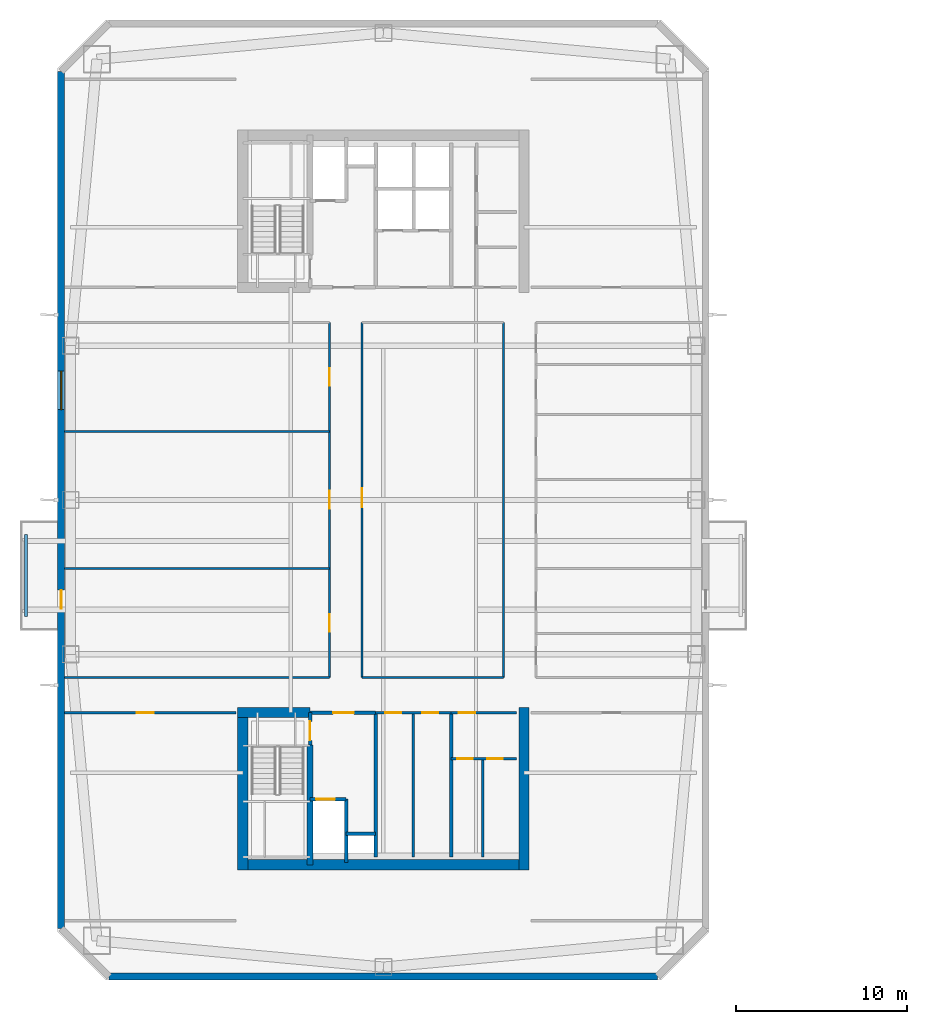
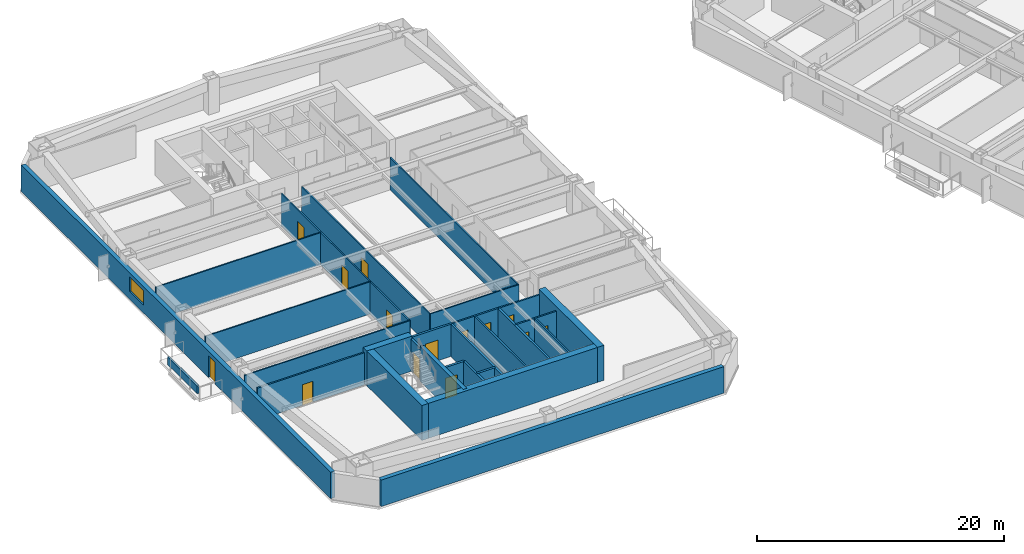
# One storey, part 5 of 17: 28 walls, 14 doors, 1 window, 15 openings.
"""IFC4 building model written with IfcOpenShell, lengths in metres."""

from ifc_helpers import new_model, si_unit, direction, frame, frame_2d, origin, place, context, subcontext, project, spatial, rectangle, extrude, material, layer, layer_set, type_object, element, fill, save


model = new_model("IFC4")

# Units and contexts
model_context = context("Model", 3, precision=1e-05, world=origin(), true_north=direction((0.0, 1.0)))
body_context = subcontext(model_context, "Body", "Model", "MODEL_VIEW")
ifc_project = project(units=[si_unit("LENGTHUNIT", "METRE"), si_unit("AREAUNIT", "SQUARE_METRE"), si_unit("VOLUMEUNIT", "CUBIC_METRE"), si_unit("PLANEANGLEUNIT", "RADIAN"), si_unit("MASSUNIT", "GRAM", prefix="KILO")], contexts=[model_context])

# Site, building, storey
site_placement = place(None, origin())
site = spatial("IfcSite", under=ifc_project, at=site_placement, CompositionType="ELEMENT")
building_placement = place(site_placement, origin())
building = spatial("IfcBuilding", under=site, at=building_placement, Name="Qiaolan Cultural Towers", CompositionType="ELEMENT")
storey_placement = place(building_placement, frame((0.0, 0.0, 152.949951171875)))
storey = spatial("IfcBuildingStorey", under=building, at=storey_placement, Name="L40", CompositionType="ELEMENT", Elevation=152.949951171875)

# Walls
ifc_material_1 = material(Name="Concrete C50", Category="concrete")
ifc_layer_1 = layer(ifc_material_1, 0.35009765625)
ifc_layer_set_1 = layer_set([ifc_layer_1], Name="Concrete C50")
wall_type_1 = type_object("IfcWallType", Name="WL-CORE-350", PredefinedType="SHEAR", material=ifc_layer_set_1)
wall_1_placement = place(storey_placement, frame((25.719970703125, 19.699951171875, 0.0), z_axis=(0.0, 0.0, 1.0), x_axis=(0.0, -1.0, 0.0)))
element("IfcWall", 1, at=wall_1_placement, inside=storey, type_object=wall_type_1, Name="L40 T1-CS Stair Core Dividing Web", PredefinedType="SHEAR", context=body_context, shape_type="SweptSolid", body=[
    extrude(rectangle(XDim=6.97998046875, YDim=0.35009765625, at=frame_2d((3.489990234375, 0.0))), origin(), (0.0, 0.0, 1.0), 3.449951171875),
])
ifc_material_2 = material(Name="Concrete C55", Category="concrete")
ifc_layer_2 = layer(ifc_material_2, 0.60009765625)
ifc_layer_set_2 = layer_set([ifc_layer_2], Name="Concrete C55")
wall_type_2 = type_object("IfcWallType", Name="WL-CORE-600", PredefinedType="SHEAR", material=ifc_layer_set_2)
wall_2_placement = place(storey_placement, frame((21.5, 12.719970703125, 0.0), z_axis=(0.0, 0.0, 1.0), x_axis=(1.0, 0.0, 0.0)))
element("IfcWall", 2, at=wall_2_placement, inside=storey, type_object=wall_type_2, Name="L40 T1-CS Outer Core Shear Wall", PredefinedType="SHEAR", context=body_context, shape_type="SweptSolid", body=[
    extrude(rectangle(XDim=17.0, YDim=0.60009765625, at=frame_2d((8.5, 0.0))), origin(), (0.0, 0.0, 1.0), 3.449951171875),
])
for number, where, z_axis, x_axis, name in (
    (3, (21.800048828125, 21.89990234375, 0.0), (0.0, 0.0, 1.0), (0.0, -1.0, 0.0), "L40 T1-CS West Core Shear Wall"),
    (4, (38.199951171875, 21.89990234375, 0.0), (0.0, 0.0, 1.0), (0.0, -1.0, 0.0), "L40 T1-CS East Core Shear Wall"),
):
    element("IfcWall", number, at=place(storey_placement, frame(where, z_axis=z_axis, x_axis=x_axis)), inside=storey, type_object=wall_type_2, Name=name, PredefinedType="SHEAR", context=body_context, shape_type="SweptSolid", body=[
        extrude(rectangle(XDim=9.47998046875, YDim=0.60009765625, at=frame_2d((4.739990234375, 0.0))), origin(), (0.0, 0.0, 1.0), 3.449951171875),
    ])
wall_3_placement = place(storey_placement, frame((21.5, 21.60009765625, 0.0), z_axis=(0.0, 0.0, 1.0), x_axis=(1.0, 0.0, 0.0)))
element("IfcWall", 5, at=wall_3_placement, inside=storey, type_object=wall_type_2, Name="L40 T1-CS Stair Front Shear Wall", PredefinedType="SHEAR", context=body_context, shape_type="SweptSolid", body=[
    extrude(rectangle(XDim=4.219970703125, YDim=0.60009765625, at=frame_2d((2.10986328125, 0.0))), origin(), (0.0, 0.0, 1.0), 3.449951171875),
])

# Wall, openings, door, window
ifc_material_3 = material(Name="Precast Concrete C50 Honed Stone Pier", Category="masonry")
ifc_layer_3 = layer(ifc_material_3, 0.39990234375)
ifc_layer_set_3 = layer_set([ifc_layer_3], Name="Precast Concrete C50 Honed Stone Pier")
wall_type_3 = type_object("IfcWallType", Name="WL-EXT-PIER-400", PredefinedType="SOLIDWALL", material=ifc_layer_set_3)
wall_4_placement = place(storey_placement, frame((11.199951171875, 9.0, 0.0), z_axis=(0.0, 0.0, 1.0), x_axis=(0.0, 1.0, 0.0)))
wall_4 = element("IfcWall", 6, at=wall_4_placement, inside=storey, type_object=wall_type_3, Name="L40 West Tower Precast Pier Facade Wall F1", PredefinedType="SOLIDWALL", context=body_context, shape_type="SweptSolid", body=[
    extrude(rectangle(XDim=50.0, YDim=0.39990234375, at=frame_2d((25.0, 0.0))), origin(), (0.0, 0.0, 1.0), 2.610107421875),
])
opening_1_placement = place(wall_4_placement, frame((30.27490234375, 0.0, 0.75)))
opening_1 = element("IfcOpeningElement", 7, at=opening_1_placement, cuts=wall_4, Name="Opening W-03", PredefinedType="OPENING", context=body_context, shape_type="SweptSolid", body=[
    extrude(rectangle(XDim=2.25, YDim=1.4599609375, at=frame_2d((1.125, 0.72998046875))), frame((0.0, 0.2099609375, 0.0), z_axis=(0.0, -1.0, 0.0), x_axis=(1.0, 0.0, 0.0)), (0.0, 0.0, 1.0), 0.419921875),
])
opening_2_placement = place(wall_4_placement, frame((18.64990234375, 0.0, 0.0)))
opening_2 = element("IfcOpeningElement", 8, at=opening_2_placement, cuts=wall_4, Name="Opening BD-01", PredefinedType="OPENING", context=body_context, shape_type="SweptSolid", body=[
    extrude(rectangle(XDim=1.10009765625, YDim=2.14990234375, at=frame_2d((0.550048828125, 1.074951171875))), frame((0.0, 0.2099609375, 0.0), z_axis=(0.0, -1.0, 0.0), x_axis=(1.0, 0.0, 0.0)), (0.0, 0.0, 1.0), 0.419921875),
])
ifc_material_4 = material(Name="Thermally Broken Aluminium Glazed Terrace Door", Category="aluminium")
door_type_1 = type_object("IfcDoorType", Name="DR-BAL-1100", OperationType="NOTDEFINED", PredefinedType="DOOR", material=ifc_material_4)
door_1_placement = place(opening_2_placement, origin())
door_1 = element("IfcDoor", 9, at=door_1_placement, inside=storey, type_object=door_type_1, Name="L40 T1 West Tree Balcony Door", OperationType="SINGLE_SWING_LEFT", OverallHeight=2.14990234375, OverallWidth=1.10009765625, PredefinedType="DOOR", context=body_context, shape_type="SweptSolid", body=[
    extrude(rectangle(XDim=1.10009765625, YDim=2.14990234375, at=frame_2d((0.550048828125, 1.074951171875))), frame((0.0, 0.02490234375, 0.0), z_axis=(0.0, -1.0, 0.0), x_axis=(1.0, 0.0, 0.0)), (0.0, 0.0, 1.0), 0.050048828125),
])
fill(opening_2, door_1)
ifc_material_5 = material(Name="Thermally Broken Aluminium Triple Low-E Glazing", Category="aluminium")
window_type = type_object("IfcWindowType", Name="WN-CHIC-2250", PartitioningType="SINGLE_PANEL", PredefinedType="WINDOW", material=ifc_material_5)
window_placement = place(opening_1_placement, origin())
window = element("IfcWindow", 10, at=window_placement, inside=storey, type_object=window_type, Name="L40 T1 W Chicago Bay Window 1", OverallHeight=1.4599609375, OverallWidth=2.25, PartitioningType="TRIPLE_PANEL_VERTICAL", PredefinedType="WINDOW", context=body_context, shape_type="SweptSolid", body=[
    extrude(rectangle(XDim=2.25, YDim=1.4599609375, at=frame_2d((1.125, 0.72998046875))), frame((0.0, 0.030029296875, 0.0), z_axis=(0.0, -1.0, 0.0), x_axis=(1.0, 0.0, 0.0)), (0.0, 0.0, 1.0), 0.06005859375),
])
fill(opening_1, window)

# Wall
wall_5_placement = place(storey_placement, frame((46.0, 6.199951171875, 0.0), z_axis=(0.0, 0.0, 1.0), x_axis=(-1.0, 0.0, 0.0)))
element("IfcWall", 11, at=wall_5_placement, inside=storey, type_object=wall_type_3, Name="L40 West Tower Precast Pier Facade Wall F7", PredefinedType="SOLIDWALL", context=body_context, shape_type="SweptSolid", body=[
    extrude(rectangle(XDim=32.0, YDim=0.39990234375, at=frame_2d((16.0, 0.0))), origin(), (0.0, 0.0, 1.0), 2.610107421875),
])

# Wall, opening, door
ifc_material_6 = material(Name="Concrete C35 Fire Wall", Category="concrete")
ifc_layer_4 = layer(ifc_material_6, 0.199951171875)
ifc_layer_set_4 = layer_set([ifc_layer_4], Name="Concrete C35 Fire Wall")
wall_type_4 = type_object("IfcWallType", Name="WL-FIRE-200", PredefinedType="PARTITIONING", material=ifc_layer_set_4)
wall_6_placement = place(storey_placement, frame((25.719970703125, 21.60009765625, 0.0), z_axis=(0.0, 0.0, 1.0), x_axis=(0.0, -1.0, 0.0)))
wall_6 = element("IfcWall", 12, at=wall_6_placement, inside=storey, type_object=wall_type_4, Name="L40 T1-CS Smokeproof Stair Entry Wall", PredefinedType="PARTITIONING", context=body_context, shape_type="SweptSolid", body=[
    extrude(rectangle(XDim=1.900146484375, YDim=0.199951171875, at=frame_2d((0.9501953125, 0.0))), origin(), (0.0, 0.0, 1.0), 3.175048828125),
])
opening_3_placement = place(wall_6_placement, frame((0.52001953125, 0.0, 0.0)))
opening_3 = element("IfcOpeningElement", 13, at=opening_3_placement, cuts=wall_6, Name="Opening FD-04", PredefinedType="OPENING", context=body_context, shape_type="SweptSolid", body=[
    extrude(rectangle(XDim=1.10009765625, YDim=2.050048828125, at=frame_2d((0.550048828125, 1.02490234375))), frame((0.0, 0.10986328125, 0.0), z_axis=(0.0, -1.0, 0.0), x_axis=(1.0, 0.0, 0.0)), (0.0, 0.0, 1.0), 0.219970703125),
])
ifc_material_7 = material(Name="Galvanized Steel Command Fire Door", Category="steel")
door_type_2 = type_object("IfcDoorType", Name="DR-FD90-1100", OperationType="NOTDEFINED", PredefinedType="DOOR", material=ifc_material_7)
door_2_placement = place(opening_3_placement, origin())
door_2 = element("IfcDoor", 14, at=door_2_placement, inside=storey, type_object=door_type_2, Name="L40 ST-W1 Smokeproof Stair Fire Door", OperationType="SINGLE_SWING_LEFT", OverallHeight=2.050048828125, OverallWidth=1.10009765625, PredefinedType="DOOR", context=body_context, shape_type="SweptSolid", body=[
    extrude(rectangle(XDim=1.10009765625, YDim=2.050048828125, at=frame_2d((0.550048828125, 1.02490234375))), frame((0.0, 0.02490234375, 0.0), z_axis=(0.0, -1.0, 0.0), x_axis=(1.0, 0.0, 0.0)), (0.0, 0.0, 1.0), 0.050048828125),
])
fill(opening_3, door_2)

# Wall
wall_7_placement = place(storey_placement, frame((29.550048828125, 21.60009765625, 0.0), z_axis=(0.0, 0.0, 1.0), x_axis=(0.0, -1.0, 0.0)))
element("IfcWall", 15, at=wall_7_placement, inside=storey, type_object=wall_type_4, Name="L40 T1-CS Firefighting Zone Wall", PredefinedType="PARTITIONING", context=body_context, shape_type="SweptSolid", body=[
    extrude(rectangle(XDim=8.43017578125, YDim=0.199951171875, at=frame_2d((4.215087890625, 0.0))), origin(), (0.0, 0.0, 1.0), 3.175048828125),
])

# Wall, opening, door
wall_8_placement = place(storey_placement, frame((25.719970703125, 21.60009765625, 0.0), z_axis=(0.0, 0.0, 1.0), x_axis=(1.0, 0.0, 0.0)))
wall_8 = element("IfcWall", 16, at=wall_8_placement, inside=storey, type_object=wall_type_4, Name="L40 T1-CS Firefighting Lobby Front Wall", PredefinedType="PARTITIONING", context=body_context, shape_type="SweptSolid", body=[
    extrude(rectangle(XDim=3.830078125, YDim=0.199951171875, at=frame_2d((1.9150390625, 0.0))), origin(), (0.0, 0.0, 1.0), 3.175048828125),
])
opening_4_placement = place(wall_8_placement, frame((1.35009765625, 0.0, 0.0)))
opening_4 = element("IfcOpeningElement", 17, at=opening_4_placement, cuts=wall_8, Name="Opening FD-03", PredefinedType="OPENING", context=body_context, shape_type="SweptSolid", body=[
    extrude(rectangle(XDim=1.199951171875, YDim=2.050048828125, at=frame_2d((0.60009765625, 1.02490234375))), frame((0.0, 0.10986328125, 0.0), z_axis=(0.0, -1.0, 0.0), x_axis=(1.0, 0.0, 0.0)), (0.0, 0.0, 1.0), 0.219970703125),
])
ifc_material_8 = material(Name="Galvanized Steel Smokeproof Lobby Fire Door", Category="steel")
door_type_3 = type_object("IfcDoorType", Name="DR-FD90-1200", OperationType="NOTDEFINED", PredefinedType="DOOR", material=ifc_material_8)
door_3_placement = place(opening_4_placement, origin())
door_3 = element("IfcDoor", 18, at=door_3_placement, inside=storey, type_object=door_type_3, Name="L40 FFL-W1 Firefighting Lobby Fire Door", OperationType="SINGLE_SWING_LEFT", OverallHeight=2.050048828125, OverallWidth=1.199951171875, PredefinedType="DOOR", context=body_context, shape_type="SweptSolid", body=[
    extrude(rectangle(XDim=1.199951171875, YDim=2.050048828125, at=frame_2d((0.60009765625, 1.02490234375))), frame((0.0, 0.02490234375, 0.0), z_axis=(0.0, -1.0, 0.0), x_axis=(1.0, 0.0, 0.0)), (0.0, 0.0, 1.0), 0.050048828125),
])
fill(opening_4, door_3)

wall_9_placement = place(storey_placement, frame((25.719970703125, 16.550048828125, 0.0), z_axis=(0.0, 0.0, 1.0), x_axis=(1.0, 0.0, 0.0)))
wall_9 = element("IfcWall", 19, at=wall_9_placement, inside=storey, type_object=wall_type_4, Name="L40 T1-CS Firefighting Shaft Front Wall", PredefinedType="PARTITIONING", context=body_context, shape_type="SweptSolid", body=[
    extrude(rectangle(XDim=2.10009765625, YDim=0.199951171875, at=frame_2d((1.050048828125, 0.0))), origin(), (0.0, 0.0, 1.0), 3.175048828125),
])
opening_5_placement = place(wall_9_placement, frame((0.35009765625, 0.0, 0.0)))
opening_5 = element("IfcOpeningElement", 20, at=opening_5_placement, cuts=wall_9, Name="Opening LD-01", PredefinedType="OPENING", context=body_context, shape_type="SweptSolid", body=[
    extrude(rectangle(XDim=1.10009765625, YDim=2.050048828125, at=frame_2d((0.550048828125, 1.02490234375))), frame((0.0, 0.10986328125, 0.0), z_axis=(0.0, -1.0, 0.0), x_axis=(1.0, 0.0, 0.0)), (0.0, 0.0, 1.0), 0.219970703125),
])
ifc_material_9 = material(Name="Brushed Stainless Steel S30408 Centre-Parting Lift Landing Door", Category="steel")
door_type_4 = type_object("IfcDoorType", Name="DR-LIFT-1100", OperationType="NOTDEFINED", PredefinedType="DOOR", material=ifc_material_9)
door_4_placement = place(opening_5_placement, origin())
door_4 = element("IfcDoor", 21, at=door_4_placement, inside=storey, type_object=door_type_4, Name="L40 FFL-W1 Firefighting Lift Landing Door", OperationType="DOUBLE_DOOR_SLIDING", OverallHeight=2.050048828125, OverallWidth=1.10009765625, PredefinedType="DOOR", context=body_context, shape_type="SweptSolid", body=[
    extrude(rectangle(XDim=1.10009765625, YDim=2.050048828125, at=frame_2d((0.550048828125, 1.02490234375))), frame((0.0, 0.02490234375, 0.0), z_axis=(0.0, -1.0, 0.0), x_axis=(1.0, 0.0, 0.0)), (0.0, 0.0, 1.0), 0.050048828125),
])
fill(opening_5, door_4)

# Walls
wall_10_placement = place(storey_placement, frame((27.820068359375, 16.550048828125, 0.0), z_axis=(0.0, 0.0, 1.0), x_axis=(0.0, -1.0, 0.0)))
element("IfcWall", 22, at=wall_10_placement, inside=storey, type_object=wall_type_4, Name="L40 T1-CS Firefighting Hoistway East Wall", PredefinedType="PARTITIONING", context=body_context, shape_type="SweptSolid", body=[
    extrude(rectangle(XDim=3.699951171875, YDim=0.199951171875, at=frame_2d((1.85009765625, 0.0))), origin(), (0.0, 0.0, 1.0), 3.175048828125),
])
wall_11_placement = place(storey_placement, frame((27.820068359375, 14.52001953125, 0.0), z_axis=(0.0, 0.0, 1.0), x_axis=(1.0, 0.0, 0.0)))
element("IfcWall", 23, at=wall_11_placement, inside=storey, type_object=wall_type_4, Name="L40 T1-CS Pressurization Shaft Front Wall", PredefinedType="PARTITIONING", context=body_context, shape_type="SweptSolid", body=[
    extrude(rectangle(XDim=1.72998046875, YDim=0.199951171875, at=frame_2d((0.864990234375, 0.0))), origin(), (0.0, 0.0, 1.0), 3.175048828125),
])
wall_12_placement = place(storey_placement, frame((33.949951171875, 21.60009765625, 0.0), z_axis=(0.0, 0.0, 1.0), x_axis=(0.0, -1.0, 0.0)))
element("IfcWall", 24, at=wall_12_placement, inside=storey, type_object=wall_type_4, Name="L40 T1-CS Lift Core East Wall", PredefinedType="PARTITIONING", context=body_context, shape_type="SweptSolid", body=[
    extrude(rectangle(XDim=8.43017578125, YDim=0.199951171875, at=frame_2d((4.215087890625, 0.0))), origin(), (0.0, 0.0, 1.0), 3.175048828125),
])
ifc_material_10 = material(Name="Gypsum Stud Acoustic Partition", Category="gypsum")
ifc_layer_5 = layer(ifc_material_10, 0.1201171875)
ifc_layer_set_5 = layer_set([ifc_layer_5], Name="Gypsum Stud Acoustic Partition")
wall_type_5 = type_object("IfcWallType", Name="WL-PART-120", PredefinedType="PARTITIONING", material=ifc_layer_set_5)
wall_13_placement = place(storey_placement, frame((11.39990234375, 23.64990234375, 0.0), z_axis=(0.0, 0.0, 1.0), x_axis=(1.0, 0.0, 0.0)))
element("IfcWall", 25, at=wall_13_placement, inside=storey, type_object=wall_type_5, Name="L40 T1 Interior Wall", PredefinedType="PARTITIONING", context=body_context, shape_type="SweptSolid", body=[
    extrude(rectangle(XDim=15.4501953125, YDim=0.1201171875, at=frame_2d((7.72509765625, 0.0))), origin(), (0.0, 0.0, 1.0), 3.175048828125),
])
wall_14_placement = place(storey_placement, frame((28.75, 23.64990234375, 0.0), z_axis=(0.0, 0.0, 1.0), x_axis=(1.0, 0.0, 0.0)))
element("IfcWall", 26, at=wall_14_placement, inside=storey, type_object=wall_type_5, Name="L40 T1 Interior Wall", PredefinedType="PARTITIONING", context=body_context, shape_type="SweptSolid", body=[
    extrude(rectangle(XDim=8.25, YDim=0.1201171875, at=frame_2d((4.125, 0.0))), origin(), (0.0, 0.0, 1.0), 3.175048828125),
])

# Wall, openings, doors
wall_15_placement = place(storey_placement, frame((26.85009765625, 23.64990234375, 0.0), z_axis=(0.0, 0.0, 1.0), x_axis=(0.0, 1.0, 0.0)))
wall_15 = element("IfcWall", 27, at=wall_15_placement, inside=storey, type_object=wall_type_5, Name="L40 T1 Interior Wall", PredefinedType="PARTITIONING", context=body_context, shape_type="SweptSolid", body=[
    extrude(rectangle(XDim=20.7001953125, YDim=0.1201171875, at=frame_2d((10.35009765625, 0.0))), origin(), (0.0, 0.0, 1.0), 3.175048828125),
])
opening_6_placement = place(wall_15_placement, frame((2.675048828125, 0.0, 0.0)))
opening_6 = element("IfcOpeningElement", 28, at=opening_6_placement, cuts=wall_15, Name="Opening ID-04", PredefinedType="OPENING", context=body_context, shape_type="SweptSolid", body=[
    extrude(rectangle(XDim=1.0, YDim=2.050048828125, at=frame_2d((0.5, 1.02490234375))), frame((0.0, 0.070068359375, 0.0), z_axis=(0.0, -1.0, 0.0), x_axis=(1.0, 0.0, 0.0)), (0.0, 0.0, 1.0), 0.14013671875),
])
opening_7_placement = place(wall_15_placement, frame((9.85009765625, 0.0, 0.0)))
opening_7 = element("IfcOpeningElement", 29, at=opening_7_placement, cuts=wall_15, Name="Opening ID-07", PredefinedType="OPENING", context=body_context, shape_type="SweptSolid", body=[
    extrude(rectangle(XDim=1.050048828125, YDim=2.050048828125, at=frame_2d((0.52490234375, 1.02490234375))), frame((0.0, 0.070068359375, 0.0), z_axis=(0.0, -1.0, 0.0), x_axis=(1.0, 0.0, 0.0)), (0.0, 0.0, 1.0), 0.14013671875),
])
opening_8_placement = place(wall_15_placement, frame((17.02490234375, 0.0, 0.0)))
opening_8 = element("IfcOpeningElement", 30, at=opening_8_placement, cuts=wall_15, Name="Opening ID-04", PredefinedType="OPENING", context=body_context, shape_type="SweptSolid", body=[
    extrude(rectangle(XDim=1.0, YDim=2.050048828125, at=frame_2d((0.5, 1.02490234375))), frame((0.0, 0.070068359375, 0.0), z_axis=(0.0, -1.0, 0.0), x_axis=(1.0, 0.0, 0.0)), (0.0, 0.0, 1.0), 0.14013671875),
])
ifc_material_11 = material(Name="Oak Veneer Acoustic Office Door", Category="timber")
door_type_5 = type_object("IfcDoorType", Name="DR-INT-1000", OperationType="NOTDEFINED", PredefinedType="DOOR", material=ifc_material_11)
door_5_placement = place(opening_6_placement, origin())
door_5 = element("IfcDoor", 31, at=door_5_placement, inside=storey, type_object=door_type_5, Name="L40 T1 Members Sky Club Door", OperationType="SINGLE_SWING_LEFT", OverallHeight=2.050048828125, OverallWidth=1.0, PredefinedType="DOOR", context=body_context, shape_type="SweptSolid", body=[
    extrude(rectangle(XDim=1.0, YDim=2.050048828125, at=frame_2d((0.5, 1.02490234375))), frame((0.0, 0.02490234375, 0.0), z_axis=(0.0, -1.0, 0.0), x_axis=(1.0, 0.0, 0.0)), (0.0, 0.0, 1.0), 0.050048828125),
])
fill(opening_6, door_5)
door_6_placement = place(opening_8_placement, origin())
door_6 = element("IfcDoor", 32, at=door_6_placement, inside=storey, type_object=door_type_5, Name="L40 T1 Members Sky Club Door", OperationType="SINGLE_SWING_LEFT", OverallHeight=2.050048828125, OverallWidth=1.0, PredefinedType="DOOR", context=body_context, shape_type="SweptSolid", body=[
    extrude(rectangle(XDim=1.0, YDim=2.050048828125, at=frame_2d((0.5, 1.02490234375))), frame((0.0, 0.02490234375, 0.0), z_axis=(0.0, -1.0, 0.0), x_axis=(1.0, 0.0, 0.0)), (0.0, 0.0, 1.0), 0.050048828125),
])
fill(opening_8, door_6)
ifc_material_12 = material(Name="Oak Veneer Consultation Door", Category="timber")
door_type_6 = type_object("IfcDoorType", Name="DR-INT-1050", OperationType="NOTDEFINED", PredefinedType="DOOR", material=ifc_material_12)
door_7_placement = place(opening_7_placement, origin())
door_7 = element("IfcDoor", 33, at=door_7_placement, inside=storey, type_object=door_type_6, Name="L40 T1 Members Sky Club Door", OperationType="SINGLE_SWING_RIGHT", OverallHeight=2.050048828125, OverallWidth=1.050048828125, PredefinedType="DOOR", context=body_context, shape_type="SweptSolid", body=[
    extrude(rectangle(XDim=1.050048828125, YDim=2.050048828125, at=frame_2d((0.52490234375, 1.02490234375))), frame((0.0, 0.02490234375, 0.0), z_axis=(0.0, -1.0, 0.0), x_axis=(1.0, 0.0, 0.0)), (0.0, 0.0, 1.0), 0.050048828125),
])
fill(opening_7, door_7)

# Wall, opening, door
wall_16_placement = place(storey_placement, frame((28.75, 23.64990234375, 0.0), z_axis=(0.0, 0.0, 1.0), x_axis=(0.0, 1.0, 0.0)))
wall_16 = element("IfcWall", 34, at=wall_16_placement, inside=storey, type_object=wall_type_5, Name="L40 T1 Interior Wall", PredefinedType="PARTITIONING", context=body_context, shape_type="SweptSolid", body=[
    extrude(rectangle(XDim=20.7001953125, YDim=0.1201171875, at=frame_2d((10.35009765625, 0.0))), origin(), (0.0, 0.0, 1.0), 3.175048828125),
])
opening_9_placement = place(wall_16_placement, frame((9.93603515625, 0.0, 0.0)))
opening_9 = element("IfcOpeningElement", 35, at=opening_9_placement, cuts=wall_16, Name="Opening ID-03", PredefinedType="OPENING", context=body_context, shape_type="SweptSolid", body=[
    extrude(rectangle(XDim=1.10009765625, YDim=2.050048828125, at=frame_2d((0.550048828125, 1.02490234375))), frame((0.0, 0.070068359375, 0.0), z_axis=(0.0, -1.0, 0.0), x_axis=(1.0, 0.0, 0.0)), (0.0, 0.0, 1.0), 0.14013671875),
])
ifc_material_13 = material(Name="Oak Veneer Solid-Core Boardroom Door", Category="timber")
door_type_7 = type_object("IfcDoorType", Name="DR-INT-1100", OperationType="NOTDEFINED", PredefinedType="DOOR", material=ifc_material_13)
door_8_placement = place(opening_9_placement, origin())
door_8 = element("IfcDoor", 36, at=door_8_placement, inside=storey, type_object=door_type_7, Name="L40 T1 Central Colloquium Hall Door", OperationType="SINGLE_SWING_LEFT", OverallHeight=2.050048828125, OverallWidth=1.10009765625, PredefinedType="DOOR", context=body_context, shape_type="SweptSolid", body=[
    extrude(rectangle(XDim=1.10009765625, YDim=2.050048828125, at=frame_2d((0.550048828125, 1.02490234375))), frame((0.0, 0.02490234375, 0.0), z_axis=(0.0, -1.0, 0.0), x_axis=(1.0, 0.0, 0.0)), (0.0, 0.0, 1.0), 0.050048828125),
])
fill(opening_9, door_8)

# Walls
wall_17_placement = place(storey_placement, frame((37.0, 23.64990234375, 0.0), z_axis=(0.0, 0.0, 1.0), x_axis=(0.0, 1.0, 0.0)))
element("IfcWall", 37, at=wall_17_placement, inside=storey, type_object=wall_type_5, Name="L40 T1 Interior Wall", PredefinedType="PARTITIONING", context=body_context, shape_type="SweptSolid", body=[
    extrude(rectangle(XDim=20.7001953125, YDim=0.1201171875, at=frame_2d((10.35009765625, 0.0))), origin(), (0.0, 0.0, 1.0), 3.175048828125),
])
for number, where, z_axis, x_axis, name in (
    (38, (11.39990234375, 30.0, 0.0), (0.0, 0.0, 1.0), (1.0, 0.0, 0.0), "L40 T1 Interior Wall"),
    (39, (11.39990234375, 38.0, 0.0), (0.0, 0.0, 1.0), (1.0, 0.0, 0.0), "L40 T1 Interior Wall"),
):
    element("IfcWall", number, at=place(storey_placement, frame(where, z_axis=z_axis, x_axis=x_axis)), inside=storey, type_object=wall_type_5, Name=name, PredefinedType="PARTITIONING", context=body_context, shape_type="SweptSolid", body=[
        extrude(rectangle(XDim=15.4501953125, YDim=0.1201171875, at=frame_2d((7.72509765625, 0.0))), origin(), (0.0, 0.0, 1.0), 3.175048828125),
    ])

# Wall, openings, doors
ifc_material_14 = material(Name="Autoclaved Aerated Concrete Block B06", Category="concrete")
ifc_layer_6 = layer(ifc_material_14, 0.14990234375)
ifc_layer_set_6 = layer_set([ifc_layer_6], Name="Autoclaved Aerated Concrete Block B06")
wall_type_6 = type_object("IfcWallType", Name="WL-PART-150", PredefinedType="PARTITIONING", material=ifc_layer_set_6)
wall_18_placement = place(storey_placement, frame((29.550048828125, 21.60009765625, 0.0), z_axis=(0.0, 0.0, 1.0), x_axis=(1.0, 0.0, 0.0)))
wall_18 = element("IfcWall", 40, at=wall_18_placement, inside=storey, type_object=wall_type_6, Name="L40 T1-CS Reclaimed Core Room Front Wall", PredefinedType="PARTITIONING", context=body_context, shape_type="SweptSolid", body=[
    extrude(rectangle(XDim=4.39990234375, YDim=0.14990234375, at=frame_2d((2.199951171875, 0.0))), origin(), (0.0, 0.0, 1.0), 3.175048828125),
])
opening_10_placement = place(wall_18_placement, frame((0.550048828125, 0.0, 0.0)))
opening_10 = element("IfcOpeningElement", 41, at=opening_10_placement, cuts=wall_18, Name="Opening ID-05", PredefinedType="OPENING", context=body_context, shape_type="SweptSolid", body=[
    extrude(rectangle(XDim=0.949951171875, YDim=2.050048828125, at=frame_2d((0.47509765625, 1.02490234375))), frame((0.0, 0.0849609375, 0.0), z_axis=(0.0, -1.0, 0.0), x_axis=(1.0, 0.0, 0.0)), (0.0, 0.0, 1.0), 0.169921875),
])
opening_11_placement = place(wall_18_placement, frame((2.699951171875, 0.0, 0.0)))
opening_11 = element("IfcOpeningElement", 42, at=opening_11_placement, cuts=wall_18, Name="Opening ID-05", PredefinedType="OPENING", context=body_context, shape_type="SweptSolid", body=[
    extrude(rectangle(XDim=0.949951171875, YDim=2.050048828125, at=frame_2d((0.47509765625, 1.02490234375))), frame((0.0, 0.0849609375, 0.0), z_axis=(0.0, -1.0, 0.0), x_axis=(1.0, 0.0, 0.0)), (0.0, 0.0, 1.0), 0.169921875),
])
ifc_material_15 = material(Name="Fire-Rated Laminate Accessible Core Door", Category="timber")
door_type_8 = type_object("IfcDoorType", Name="DR-INT-950", OperationType="NOTDEFINED", PredefinedType="DOOR", material=ifc_material_15)
door_9_placement = place(opening_10_placement, origin())
door_9 = element("IfcDoor", 43, at=door_9_placement, inside=storey, type_object=door_type_8, Name="L40 Copy Print Room Door", OperationType="SINGLE_SWING_LEFT", OverallHeight=2.050048828125, OverallWidth=0.949951171875, PredefinedType="DOOR", context=body_context, shape_type="SweptSolid", body=[
    extrude(rectangle(XDim=0.949951171875, YDim=2.050048828125, at=frame_2d((0.47509765625, 1.02490234375))), frame((0.0, 0.02490234375, 0.0), z_axis=(0.0, -1.0, 0.0), x_axis=(1.0, 0.0, 0.0)), (0.0, 0.0, 1.0), 0.050048828125),
])
fill(opening_10, door_9)
door_10_placement = place(opening_11_placement, origin())
door_10 = element("IfcDoor", 44, at=door_10_placement, inside=storey, type_object=door_type_8, Name="L40 Tea Pantry Room Door", OperationType="SINGLE_SWING_RIGHT", OverallHeight=2.050048828125, OverallWidth=0.949951171875, PredefinedType="DOOR", context=body_context, shape_type="SweptSolid", body=[
    extrude(rectangle(XDim=0.949951171875, YDim=2.050048828125, at=frame_2d((0.47509765625, 1.02490234375))), frame((0.0, 0.02490234375, 0.0), z_axis=(0.0, -1.0, 0.0), x_axis=(1.0, 0.0, 0.0)), (0.0, 0.0, 1.0), 0.050048828125),
])
fill(opening_11, door_10)

# Wall
wall_19_placement = place(storey_placement, frame((31.75, 21.60009765625, 0.0), z_axis=(0.0, 0.0, 1.0), x_axis=(0.0, -1.0, 0.0)))
element("IfcWall", 45, at=wall_19_placement, inside=storey, type_object=wall_type_6, Name="L40 T1-CS Reclaimed Twin Room Wall", PredefinedType="PARTITIONING", context=body_context, shape_type="SweptSolid", body=[
    extrude(rectangle(XDim=8.43017578125, YDim=0.14990234375, at=frame_2d((4.215087890625, 0.0))), origin(), (0.0, 0.0, 1.0), 3.175048828125),
])

# Wall, opening, door
wall_20_placement = place(storey_placement, frame((33.949951171875, 21.60009765625, 0.0), z_axis=(0.0, 0.0, 1.0), x_axis=(1.0, 0.0, 0.0)))
wall_20 = element("IfcWall", 46, at=wall_20_placement, inside=storey, type_object=wall_type_6, Name="L40 T1-CS Sanitary Core Front Wall", PredefinedType="PARTITIONING", context=body_context, shape_type="SweptSolid", body=[
    extrude(rectangle(XDim=3.800048828125, YDim=0.14990234375, at=frame_2d((1.89990234375, 0.0))), origin(), (0.0, 0.0, 1.0), 3.175048828125),
])
opening_12_placement = place(wall_20_placement, frame((0.449951171875, 0.0, 0.0)))
opening_12 = element("IfcOpeningElement", 47, at=opening_12_placement, cuts=wall_20, Name="Opening ID-05", PredefinedType="OPENING", context=body_context, shape_type="SweptSolid", body=[
    extrude(rectangle(XDim=0.949951171875, YDim=2.050048828125, at=frame_2d((0.47509765625, 1.02490234375))), frame((0.0, 0.0849609375, 0.0), z_axis=(0.0, -1.0, 0.0), x_axis=(1.0, 0.0, 0.0)), (0.0, 0.0, 1.0), 0.169921875),
])
door_11_placement = place(opening_12_placement, origin())
door_11 = element("IfcDoor", 48, at=door_11_placement, inside=storey, type_object=door_type_8, Name="L40 Sanitary Vestibule Door", OperationType="SINGLE_SWING_LEFT", OverallHeight=2.050048828125, OverallWidth=0.949951171875, PredefinedType="DOOR", context=body_context, shape_type="SweptSolid", body=[
    extrude(rectangle(XDim=0.949951171875, YDim=2.050048828125, at=frame_2d((0.47509765625, 1.02490234375))), frame((0.0, 0.02490234375, 0.0), z_axis=(0.0, -1.0, 0.0), x_axis=(1.0, 0.0, 0.0)), (0.0, 0.0, 1.0), 0.050048828125),
])
fill(opening_12, door_11)

# Wall, openings, doors
wall_21_placement = place(storey_placement, frame((33.949951171875, 18.89990234375, 0.0), z_axis=(0.0, 0.0, 1.0), x_axis=(1.0, 0.0, 0.0)))
wall_21 = element("IfcWall", 49, at=wall_21_placement, inside=storey, type_object=wall_type_6, Name="L40 T1-CS Restroom Vestibule Wall", PredefinedType="PARTITIONING", context=body_context, shape_type="SweptSolid", body=[
    extrude(rectangle(XDim=3.800048828125, YDim=0.14990234375, at=frame_2d((1.89990234375, 0.0))), origin(), (0.0, 0.0, 1.0), 3.175048828125),
])
opening_13_placement = place(wall_21_placement, frame((0.35009765625, 0.0, 0.0)))
opening_13 = element("IfcOpeningElement", 50, at=opening_13_placement, cuts=wall_21, Name="Opening ID-06", PredefinedType="OPENING", context=body_context, shape_type="SweptSolid", body=[
    extrude(rectangle(XDim=0.89990234375, YDim=2.050048828125, at=frame_2d((0.449951171875, 1.02490234375))), frame((0.0, 0.0849609375, 0.0), z_axis=(0.0, -1.0, 0.0), x_axis=(1.0, 0.0, 0.0)), (0.0, 0.0, 1.0), 0.169921875),
])
opening_14_placement = place(wall_21_placement, frame((2.10009765625, 0.0, 0.0)))
opening_14 = element("IfcOpeningElement", 51, at=opening_14_placement, cuts=wall_21, Name="Opening ID-06", PredefinedType="OPENING", context=body_context, shape_type="SweptSolid", body=[
    extrude(rectangle(XDim=0.89990234375, YDim=2.050048828125, at=frame_2d((0.449951171875, 1.02490234375))), frame((0.0, 0.0849609375, 0.0), z_axis=(0.0, -1.0, 0.0), x_axis=(1.0, 0.0, 0.0)), (0.0, 0.0, 1.0), 0.169921875),
])
ifc_material_16 = material(Name="Fire-Rated Laminate Core Service Door", Category="timber")
door_type_9 = type_object("IfcDoorType", Name="DR-INT-900", OperationType="NOTDEFINED", PredefinedType="DOOR", material=ifc_material_16)
door_12_placement = place(opening_13_placement, origin())
door_12 = element("IfcDoor", 52, at=door_12_placement, inside=storey, type_object=door_type_9, Name="L40 Men Restroom Door", OperationType="SINGLE_SWING_LEFT", OverallHeight=2.050048828125, OverallWidth=0.89990234375, PredefinedType="DOOR", context=body_context, shape_type="SweptSolid", body=[
    extrude(rectangle(XDim=0.89990234375, YDim=2.050048828125, at=frame_2d((0.449951171875, 1.02490234375))), frame((0.0, 0.02490234375, 0.0), z_axis=(0.0, -1.0, 0.0), x_axis=(1.0, 0.0, 0.0)), (0.0, 0.0, 1.0), 0.050048828125),
])
fill(opening_13, door_12)
door_13_placement = place(opening_14_placement, origin())
door_13 = element("IfcDoor", 53, at=door_13_placement, inside=storey, type_object=door_type_9, Name="L40 Accessible & Women Restroom Door", OperationType="SINGLE_SWING_RIGHT", OverallHeight=2.050048828125, OverallWidth=0.89990234375, PredefinedType="DOOR", context=body_context, shape_type="SweptSolid", body=[
    extrude(rectangle(XDim=0.89990234375, YDim=2.050048828125, at=frame_2d((0.449951171875, 1.02490234375))), frame((0.0, 0.02490234375, 0.0), z_axis=(0.0, -1.0, 0.0), x_axis=(1.0, 0.0, 0.0)), (0.0, 0.0, 1.0), 0.050048828125),
])
fill(opening_14, door_13)

# Wall
wall_22_placement = place(storey_placement, frame((35.800048828125, 18.89990234375, 0.0), z_axis=(0.0, 0.0, 1.0), x_axis=(0.0, -1.0, 0.0)))
element("IfcWall", 54, at=wall_22_placement, inside=storey, type_object=wall_type_6, Name="L40 T1-CS Restroom Divider Wall", PredefinedType="PARTITIONING", context=body_context, shape_type="SweptSolid", body=[
    extrude(rectangle(XDim=5.72998046875, YDim=0.14990234375, at=frame_2d((2.864990234375, 0.0))), origin(), (0.0, 0.0, 1.0), 3.175048828125),
])

# Wall, opening, door
wall_23_placement = place(storey_placement, frame((11.39990234375, 21.60009765625, 0.0), z_axis=(0.0, 0.0, 1.0), x_axis=(1.0, 0.0, 0.0)))
wall_23 = element("IfcWall", 55, at=wall_23_placement, inside=storey, type_object=wall_type_6, Name="L40 T1 Flank Front FLK-SW", PredefinedType="PARTITIONING", context=body_context, shape_type="SweptSolid", body=[
    extrude(rectangle(XDim=10.0, YDim=0.14990234375, at=frame_2d((5.0, 0.0))), origin(), (0.0, 0.0, 1.0), 3.175048828125),
])
opening_15_placement = place(wall_23_placement, frame((4.199951171875, 0.0, 0.0)))
opening_15 = element("IfcOpeningElement", 56, at=opening_15_placement, cuts=wall_23, Name="Opening ID-04", PredefinedType="OPENING", context=body_context, shape_type="SweptSolid", body=[
    extrude(rectangle(XDim=1.0, YDim=2.050048828125, at=frame_2d((0.5, 1.02490234375))), frame((0.0, 0.0849609375, 0.0), z_axis=(0.0, -1.0, 0.0), x_axis=(1.0, 0.0, 0.0)), (0.0, 0.0, 1.0), 0.169921875),
])
door_14_placement = place(opening_15_placement, origin())
door_14 = element("IfcDoor", 57, at=door_14_placement, inside=storey, type_object=door_type_5, Name="L40 T1 Corner Studio Door", OperationType="SINGLE_SWING_LEFT", OverallHeight=2.050048828125, OverallWidth=1.0, PredefinedType="DOOR", context=body_context, shape_type="SweptSolid", body=[
    extrude(rectangle(XDim=1.0, YDim=2.050048828125, at=frame_2d((0.5, 1.02490234375))), frame((0.0, 0.02490234375, 0.0), z_axis=(0.0, -1.0, 0.0), x_axis=(1.0, 0.0, 0.0)), (0.0, 0.0, 1.0), 0.050048828125),
])
fill(opening_15, door_14)

# Wall
ifc_material_17 = material(Name="Precast Concrete C45 Tree Planter Upstand", Category="concrete")
ifc_layer_7 = layer(ifc_material_17, 0.199951171875)
ifc_layer_set_7 = layer_set([ifc_layer_7], Name="Precast Concrete C45 Tree Planter Upstand")
wall_type_7 = type_object("IfcWallType", Name="WL-PLANTER-200", PredefinedType="PARAPET", material=ifc_layer_set_7)
wall_24_placement = place(storey_placement, frame((9.14990234375, 27.199951171875, 0.0), z_axis=(0.0, 0.0, 1.0), x_axis=(0.0, 1.0, 0.0)))
element("IfcWall", 58, at=wall_24_placement, inside=storey, type_object=wall_type_7, Name="L40 T1 Tree Balcony Soil Planter Box W", PredefinedType="PARAPET", context=body_context, shape_type="SweptSolid", body=[
    extrude(rectangle(XDim=4.800048828125, YDim=0.199951171875, at=frame_2d((2.39990234375, 0.0))), origin(), (0.0, 0.0, 1.0), 0.75),
])

save(model, "model.ifc")
